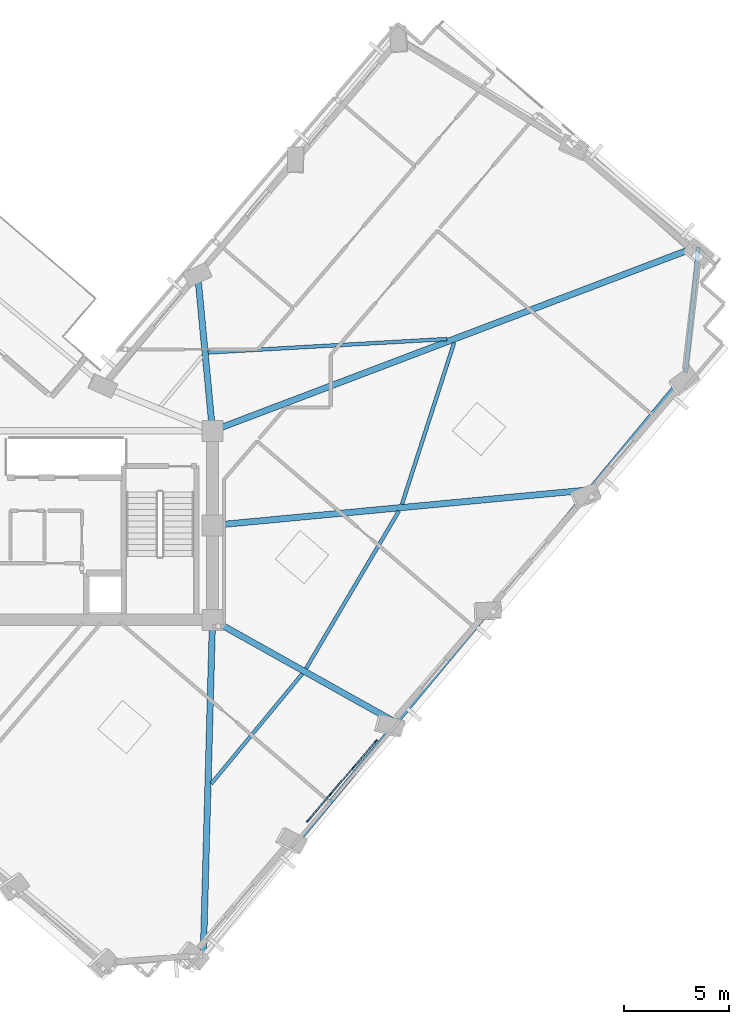
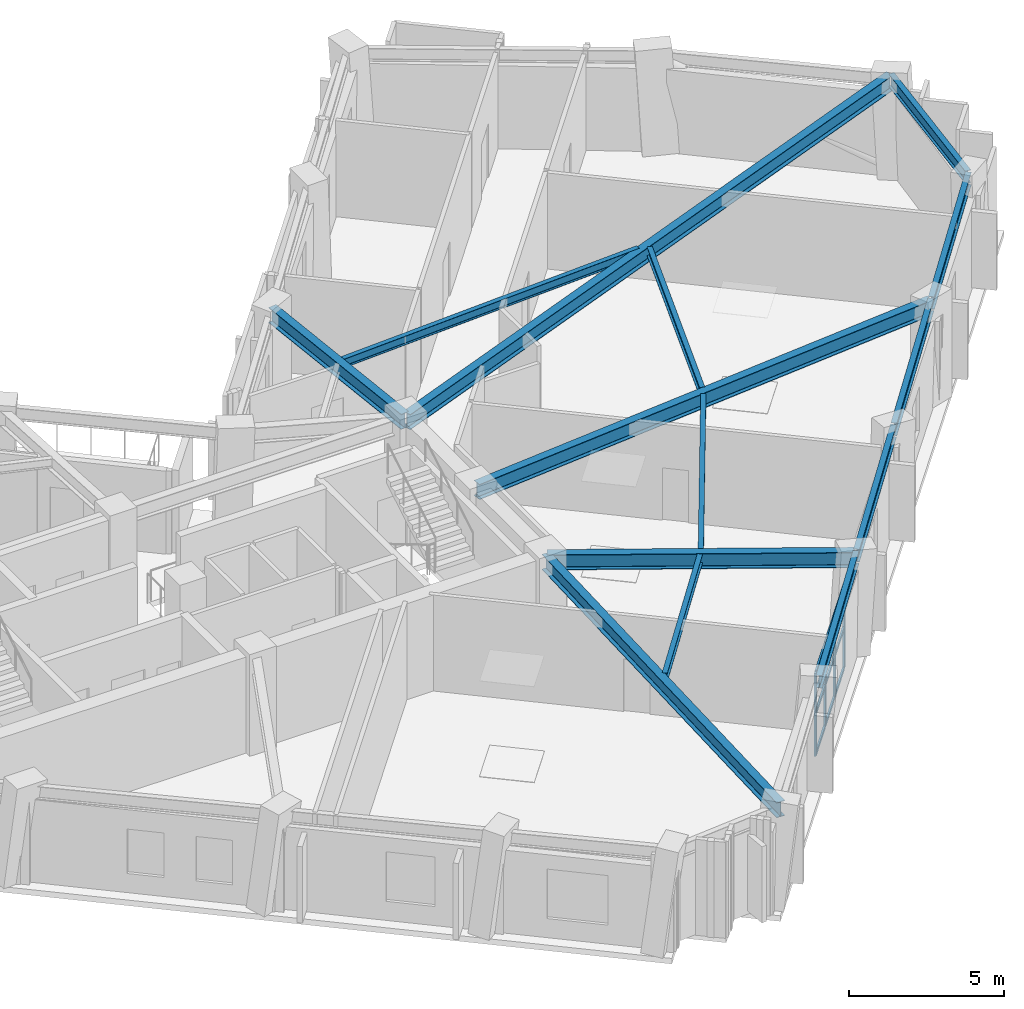
# One storey, part 2 of 12: 14 beams, 13 members, 1 element without a shape of its own.
"""IFC4 building model written with IfcOpenShell, lengths in metres."""

from ifc_helpers import new_model, si_unit, direction, frame, origin, origin_2d, place, context, subcontext, project, spatial, rectangle, i_section, extrude, material, material_profile, profile_set, type_object, element, aggregate, save


model = new_model("IFC4")

# Units and contexts
model_context = context("Model", 3, precision=1e-05, world=origin(), true_north=direction((0.0, 1.0)))
body_context = subcontext(model_context, "Body", "Model", "MODEL_VIEW")
ifc_project = project(units=[si_unit("LENGTHUNIT", "METRE"), si_unit("AREAUNIT", "SQUARE_METRE"), si_unit("VOLUMEUNIT", "CUBIC_METRE"), si_unit("PLANEANGLEUNIT", "RADIAN"), si_unit("MASSUNIT", "GRAM", prefix="KILO")], contexts=[model_context])

# Site, building, storey
site_placement = place(None, origin())
site = spatial("IfcSite", under=ifc_project, at=site_placement, CompositionType="ELEMENT")
building_placement = place(site_placement, origin())
building = spatial("IfcBuilding", under=site, at=building_placement, Name="Gaonmaruhae Medical Tower", CompositionType="ELEMENT")
storey_placement = place(building_placement, frame((0.0, 0.0, 235.199951171875)))
storey = spatial("IfcBuildingStorey", under=building, at=storey_placement, Name="L56", CompositionType="ELEMENT", Elevation=235.199951171875)

# Curtain wall, members
ifc_material_1 = material(Name="Anodised aluminium and Low-E double glazing", Category="aluminium")
curtain_wall_type = type_object("IfcCurtainWallType", Name="CW-S3 Spiralling Dayroom Ribbon Curtain Wall", PredefinedType="NOTDEFINED", material=ifc_material_1)
curtain_wall_placement = place(storey_placement, origin())
curtain_wall = element("IfcCurtainWall", 1, at=curtain_wall_placement, inside=storey, type_object=curtain_wall_type, Name="L56 Curtain Wall CW-L56-S02", PredefinedType="NOTDEFINED")
ifc_material_2 = material(Name="Anodised aluminium 6063-T6", Category="aluminium")
ifc_material_profile_1 = material_profile(ifc_material_2, rectangle(XDim=0.06494140625, YDim=0.179931640625, at=origin_2d()), Name="CWM-65x180")
ifc_profile_set_1 = profile_set([ifc_material_profile_1], Name="Anodised aluminium 6063-T6")
member_type_1 = type_object("IfcMemberType", Name="CWM-2 Tower Feature Curtain Wall Mullion (CWM-65x180)", PredefinedType="MULLION", material=ifc_profile_set_1)
member_1_placement = place(storey_placement, frame((43.379638671875, 2.02001953125, 0.0), z_axis=(0.0, 0.0, 1.0), x_axis=(0.759265011146, -0.650781563084, 0.0)))
member_1 = element("IfcMember", 2, at=member_1_placement, type_object=member_type_1, Name="CW-S3 mullion 1", PredefinedType="MULLION", context=body_context, shape_type="SweptSolid", body=[
    extrude(rectangle(XDim=0.06494140625, YDim=0.179931640625, at=origin_2d()), origin(), (0.0, 0.0, 1.0), 3.26513671875),
])
member_2_placement = place(storey_placement, frame((42.30810546875, 0.77001953125, 0.0), z_axis=(0.0, 0.0, 1.0), x_axis=(0.759265011146, -0.650781563084, 0.0)))
member_2 = element("IfcMember", 3, at=member_2_placement, type_object=member_type_1, Name="CW-S3 mullion 2", PredefinedType="MULLION", context=body_context, shape_type="SweptSolid", body=[
    extrude(rectangle(XDim=0.06494140625, YDim=0.179931640625, at=origin_2d()), origin(), (0.0, 0.0, 1.0), 3.26513671875),
])
member_3_placement = place(storey_placement, frame((41.215576171875, -0.5048828125, 0.0), z_axis=(0.0, 0.0, 1.0), x_axis=(0.759265011146, -0.650781563084, 0.0)))
member_3 = element("IfcMember", 4, at=member_3_placement, type_object=member_type_1, Name="CW-S3 mullion 3", PredefinedType="MULLION", context=body_context, shape_type="SweptSolid", body=[
    extrude(rectangle(XDim=0.06494140625, YDim=0.179931640625, at=origin_2d()), origin(), (0.0, 0.0, 1.0), 3.26513671875),
])
member_4_placement = place(storey_placement, frame((40.14404296875, -1.7548828125, 0.0), z_axis=(0.0, 0.0, 1.0), x_axis=(0.759265011146, -0.650781563084, 0.0)))
member_4 = element("IfcMember", 5, at=member_4_placement, type_object=member_type_1, Name="CW-S3 mullion 4", PredefinedType="MULLION", context=body_context, shape_type="SweptSolid", body=[
    extrude(rectangle(XDim=0.06494140625, YDim=0.179931640625, at=origin_2d()), origin(), (0.0, 0.0, 1.0), 3.26513671875),
])
ifc_material_profile_2 = material_profile(ifc_material_2, rectangle(XDim=0.06494140625, YDim=0.139892578125, at=origin_2d()), Name="CWT-65x140")
ifc_profile_set_2 = profile_set([ifc_material_profile_2], Name="Anodised aluminium 6063-T6")
member_type_2 = type_object("IfcMemberType", Name="CWT-2 Tower Feature Curtain Wall Transom (CWT-65x140)", PredefinedType="USERDEFINED", material=ifc_profile_set_2)
member_5_placement = place(storey_placement, frame((43.3583984375, 1.995361328125, 0.032470703125), z_axis=(-0.650753229259, -0.759289295729, 0.0), x_axis=(0.759289295729, -0.650753229259, 0.0)))
member_5 = element("IfcMember", 6, at=member_5_placement, type_object=member_type_2, Name="CW-S3 transom 1.1", ObjectType="TRANSOM", PredefinedType="USERDEFINED", context=body_context, shape_type="SweptSolid", body=[
    extrude(rectangle(XDim=0.06494140625, YDim=0.139892578125, at=origin_2d()), origin(), (0.0, 0.0, 1.0), 1.581298828125),
])
member_6_placement = place(storey_placement, frame((43.3583984375, 1.995361328125, 1.632568359375), z_axis=(-0.650753229259, -0.759289295729, 0.0), x_axis=(0.759289295729, -0.650753229259, 0.0)))
member_6 = element("IfcMember", 7, at=member_6_placement, type_object=member_type_2, Name="CW-S3 transom 1.2", ObjectType="TRANSOM", PredefinedType="USERDEFINED", context=body_context, shape_type="SweptSolid", body=[
    extrude(rectangle(XDim=0.06494140625, YDim=0.139892578125, at=origin_2d()), origin(), (0.0, 0.0, 1.0), 1.581298828125),
])
member_7_placement = place(storey_placement, frame((43.3583984375, 1.995361328125, 3.232666015625), z_axis=(-0.650753229259, -0.759289295729, 0.0), x_axis=(0.759289295729, -0.650753229259, 0.0)))
member_7 = element("IfcMember", 8, at=member_7_placement, type_object=member_type_2, Name="CW-S3 transom 1.3", ObjectType="TRANSOM", PredefinedType="USERDEFINED", context=body_context, shape_type="SweptSolid", body=[
    extrude(rectangle(XDim=0.06494140625, YDim=0.139892578125, at=origin_2d()), origin(), (0.0, 0.0, 1.0), 1.581298828125),
])
member_8_placement = place(storey_placement, frame((42.287109375, 0.745361328125, 0.032470703125), z_axis=(-0.650791373456, -0.759256602365, 0.0), x_axis=(0.759256602365, -0.650791373456, 0.0)))
member_8 = element("IfcMember", 9, at=member_8_placement, type_object=member_type_2, Name="CW-S3 transom 2.1", ObjectType="TRANSOM", PredefinedType="USERDEFINED", context=body_context, shape_type="SweptSolid", body=[
    extrude(rectangle(XDim=0.06494140625, YDim=0.139892578125, at=origin_2d()), origin(), (0.0, 0.0, 1.0), 1.61376953125),
])
member_9_placement = place(storey_placement, frame((42.287109375, 0.745361328125, 1.632568359375), z_axis=(-0.650791373456, -0.759256602365, 0.0), x_axis=(0.759256602365, -0.650791373456, 0.0)))
member_9 = element("IfcMember", 10, at=member_9_placement, type_object=member_type_2, Name="CW-S3 transom 2.2", ObjectType="TRANSOM", PredefinedType="USERDEFINED", context=body_context, shape_type="SweptSolid", body=[
    extrude(rectangle(XDim=0.06494140625, YDim=0.139892578125, at=origin_2d()), origin(), (0.0, 0.0, 1.0), 1.61376953125),
])
member_10_placement = place(storey_placement, frame((42.287109375, 0.745361328125, 3.232666015625), z_axis=(-0.650791373456, -0.759256602365, 0.0), x_axis=(0.759256602365, -0.650791373456, 0.0)))
member_10 = element("IfcMember", 11, at=member_10_placement, type_object=member_type_2, Name="CW-S3 transom 2.3", ObjectType="TRANSOM", PredefinedType="USERDEFINED", context=body_context, shape_type="SweptSolid", body=[
    extrude(rectangle(XDim=0.06494140625, YDim=0.139892578125, at=origin_2d()), origin(), (0.0, 0.0, 1.0), 1.61376953125),
])
member_11_placement = place(storey_placement, frame((41.1943359375, -0.529541015625, 0.032470703125), z_axis=(-0.650753229259, -0.759289295729, 0.0), x_axis=(0.759289295729, -0.650753229259, 0.0)))
member_11 = element("IfcMember", 12, at=member_11_placement, type_object=member_type_2, Name="CW-S3 transom 3.1", ObjectType="TRANSOM", PredefinedType="USERDEFINED", context=body_context, shape_type="SweptSolid", body=[
    extrude(rectangle(XDim=0.06494140625, YDim=0.139892578125, at=origin_2d()), origin(), (0.0, 0.0, 1.0), 1.581298828125),
])
member_12_placement = place(storey_placement, frame((41.1943359375, -0.529541015625, 1.632568359375), z_axis=(-0.650753229259, -0.759289295729, 0.0), x_axis=(0.759289295729, -0.650753229259, 0.0)))
member_12 = element("IfcMember", 13, at=member_12_placement, type_object=member_type_2, Name="CW-S3 transom 3.2", ObjectType="TRANSOM", PredefinedType="USERDEFINED", context=body_context, shape_type="SweptSolid", body=[
    extrude(rectangle(XDim=0.06494140625, YDim=0.139892578125, at=origin_2d()), origin(), (0.0, 0.0, 1.0), 1.581298828125),
])
member_13_placement = place(storey_placement, frame((41.1943359375, -0.529541015625, 3.232666015625), z_axis=(-0.650753229259, -0.759289295729, 0.0), x_axis=(0.759289295729, -0.650753229259, 0.0)))
member_13 = element("IfcMember", 14, at=member_13_placement, type_object=member_type_2, Name="CW-S3 transom 3.3", ObjectType="TRANSOM", PredefinedType="USERDEFINED", context=body_context, shape_type="SweptSolid", body=[
    extrude(rectangle(XDim=0.06494140625, YDim=0.139892578125, at=origin_2d()), origin(), (0.0, 0.0, 1.0), 1.581298828125),
])
aggregate(curtain_wall, [member_1, member_2, member_3, member_4, member_5, member_6, member_7, member_8, member_9, member_10, member_11, member_12, member_13])

# Beams
ifc_material_3 = material(Name="Steel SM355", Category="steel")
ifc_material_profile_3 = material_profile(ifc_material_3, i_section(OverallWidth=0.175048828125, OverallDepth=0.35009765625, WebThickness=0.007080078125, FlangeThickness=0.010986328125, FilletRadius=0.012939453125, at=origin_2d()), Name="H-350x175x7x11")
ifc_profile_set_3 = profile_set([ifc_material_profile_3], Name="Steel SM355")
beam_type_1 = type_object("IfcBeamType", Name="FJ-02 Upper Zone Ward Floor Joist (H-350x175x7x11)", PredefinedType="JOIST", material=ifc_profile_set_3)
beam_1_placement = place(storey_placement, frame((35.5400390625, -0.00048828125, 3.60498046875), z_axis=(0.63810676263, 0.769947894007, 0.0), x_axis=(-0.769947894007, 0.63810676263, 0.0)))
element("IfcBeam", 15, at=beam_1_placement, inside=storey, type_object=beam_type_1, Name="L56 Secondary Floor Joist FJ01", PredefinedType="JOIST", context=body_context, shape_type="SweptSolid", body=[
    extrude(i_section(OverallWidth=0.175048828125, OverallDepth=0.35009765625, WebThickness=0.007080078125, FlangeThickness=0.010986328125, FilletRadius=0.012939453125, at=origin_2d()), origin(), (0.0, 0.0, 1.0), 6.792236328125),
])
beam_2_placement = place(storey_placement, frame((40.054443359375, 5.48583984375, 3.60498046875), z_axis=(0.507819510097, 0.861463490326, 0.0), x_axis=(-0.861463490326, 0.507819510097, 0.0)))
element("IfcBeam", 16, at=beam_2_placement, inside=storey, type_object=beam_type_1, Name="L56 Secondary Floor Joist FJ02", PredefinedType="JOIST", context=body_context, shape_type="SweptSolid", body=[
    extrude(i_section(OverallWidth=0.175048828125, OverallDepth=0.35009765625, WebThickness=0.007080078125, FlangeThickness=0.010986328125, FilletRadius=0.012939453125, at=origin_2d()), origin(), (0.0, 0.0, 1.0), 8.699951171875),
])
beam_3_placement = place(storey_placement, frame((44.62158203125, 13.30615234375, 3.60498046875), z_axis=(0.30726279476, 0.951624702788, 0.0), x_axis=(-0.951624702788, 0.30726279476, 0.0)))
element("IfcBeam", 17, at=beam_3_placement, inside=storey, type_object=beam_type_1, Name="L56 Secondary Floor Joist FJ03", PredefinedType="JOIST", context=body_context, shape_type="SweptSolid", body=[
    extrude(i_section(OverallWidth=0.175048828125, OverallDepth=0.35009765625, WebThickness=0.007080078125, FlangeThickness=0.010986328125, FilletRadius=0.012939453125, at=origin_2d()), origin(), (0.0, 0.0, 1.0), 8.0927734375),
])
beam_4_placement = place(storey_placement, frame((46.76904296875, 21.17333984375, 3.60498046875), z_axis=(-0.998411739011, -0.056338258799, 0.0), x_axis=(0.056338258799, -0.998411739011, 0.0)))
element("IfcBeam", 18, at=beam_4_placement, inside=storey, type_object=beam_type_1, Name="L56 Secondary Floor Joist FJ04", PredefinedType="JOIST", context=body_context, shape_type="SweptSolid", body=[
    extrude(i_section(OverallWidth=0.175048828125, OverallDepth=0.35009765625, WebThickness=0.007080078125, FlangeThickness=0.010986328125, FilletRadius=0.012939453125, at=origin_2d()), origin(), (0.0, 0.0, 1.0), 11.384033203125),
])
ifc_material_4 = material(Name="Steel SM420", Category="steel")
ifc_material_profile_4 = material_profile(ifc_material_4, i_section(OverallWidth=0.300048828125, OverallDepth=0.60009765625, WebThickness=0.011962890625, FlangeThickness=0.02001953125, FilletRadius=0.012939453125, at=origin_2d()), Name="H-600x300x12x20")
ifc_profile_set_4 = profile_set([ifc_material_profile_4], Name="Steel SM420")
beam_type_2 = type_object("IfcBeamType", Name="PG-04 Zone 4 Radial Floor Girder (H-600x300x12x20)", PredefinedType="BEAM", material=ifc_profile_set_4)
beam_5_placement = place(storey_placement, frame((35.5986328125, 7.75, 3.47998046875), z_axis=(-0.027393923869, -0.999624716048, 0.0), x_axis=(0.999624716048, -0.027393923869, 0.0)))
element("IfcBeam", 19, at=beam_5_placement, inside=storey, type_object=beam_type_2, Name="L56 Radial Primary Girder S01", PredefinedType="BEAM", context=body_context, shape_type="SweptSolid", body=[
    extrude(i_section(OverallWidth=0.300048828125, OverallDepth=0.60009765625, WebThickness=0.011962890625, FlangeThickness=0.02001953125, FilletRadius=0.012939453125, at=origin_2d()), origin(), (0.0, 0.0, 1.0), 15.890380859375),
])
beam_6_placement = place(storey_placement, frame((35.6435546875, 7.775634765625, 3.47998046875), z_axis=(0.872638078579, -0.488367468014, 0.0), x_axis=(0.488367468014, 0.872638078579, 0.0)))
element("IfcBeam", 20, at=beam_6_placement, inside=storey, type_object=beam_type_2, Name="L56 Radial Primary Girder S03", PredefinedType="BEAM", context=body_context, shape_type="SweptSolid", body=[
    extrude(i_section(OverallWidth=0.300048828125, OverallDepth=0.60009765625, WebThickness=0.011962890625, FlangeThickness=0.02001953125, FilletRadius=0.012939453125, at=origin_2d()), origin(), (0.0, 0.0, 1.0), 9.927734375),
])
beam_7_placement = place(storey_placement, frame((35.649658203125, 12.3046875, 3.47998046875), z_axis=(0.995590313396, 0.093807930749, 0.0), x_axis=(-0.093807930749, 0.995590313396, 0.0)))
element("IfcBeam", 21, at=beam_7_placement, inside=storey, type_object=beam_type_2, Name="L56 Radial Primary Girder S05", PredefinedType="BEAM", context=body_context, shape_type="SweptSolid", body=[
    extrude(i_section(OverallWidth=0.300048828125, OverallDepth=0.60009765625, WebThickness=0.011962890625, FlangeThickness=0.02001953125, FilletRadius=0.012939453125, at=origin_2d()), origin(), (0.0, 0.0, 1.0), 17.918701171875),
])
beam_8_placement = place(storey_placement, frame((35.646728515625, 16.81787109375, 3.47998046875), z_axis=(0.934794103327, 0.355190067971, 0.0), x_axis=(-0.355190067971, 0.934794103327, 0.0)))
element("IfcBeam", 22, at=beam_8_placement, inside=storey, type_object=beam_type_2, Name="L56 Radial Primary Girder E01", PredefinedType="BEAM", context=body_context, shape_type="SweptSolid", body=[
    extrude(i_section(OverallWidth=0.300048828125, OverallDepth=0.60009765625, WebThickness=0.011962890625, FlangeThickness=0.02001953125, FilletRadius=0.012939453125, at=origin_2d()), origin(), (0.0, 0.0, 1.0), 24.65185546875),
])
beam_9_placement = place(storey_placement, frame((35.59521484375, 16.849853515625, 3.47998046875), z_axis=(-0.09428452076, 0.995545292362, 0.0), x_axis=(-0.995545292362, -0.09428452076, 0.0)))
element("IfcBeam", 23, at=beam_9_placement, inside=storey, type_object=beam_type_2, Name="L56 Radial Primary Girder EN02", PredefinedType="BEAM", context=body_context, shape_type="SweptSolid", body=[
    extrude(i_section(OverallWidth=0.300048828125, OverallDepth=0.60009765625, WebThickness=0.011962890625, FlangeThickness=0.02001953125, FilletRadius=0.012939453125, at=origin_2d()), origin(), (0.0, 0.0, 1.0), 7.3798828125),
])
ifc_material_profile_5 = material_profile(ifc_material_3, i_section(OverallWidth=0.199951171875, OverallDepth=0.5, WebThickness=0.010009765625, FlangeThickness=0.01611328125, FilletRadius=0.012939453125, at=origin_2d()), Name="H-500x200x10x16")
ifc_profile_set_5 = profile_set([ifc_material_profile_5], Name="Steel SM355")
beam_type_3 = type_object("IfcBeamType", Name="SP-02 Upper Perimeter Spandrel Beam (H-500x200x10x16)", PredefinedType="SPANDREL", material=ifc_profile_set_5)
for number, where, z_axis, x_axis, name in (
    (24, (39.78173828125, -2.610107421875, 3.530029296875), (0.638087569109, 0.769963800545, 0.0), (-0.769963800545, 0.638087569109, 0.0), "L56 Perimeter Spandrel Beam S02-S03"),
    (25, (44.376220703125, 2.93359375, 3.530029296875), (0.638087569109, 0.769963800545, 0.0), (-0.769963800545, 0.638087569109, 0.0), "L56 Perimeter Spandrel Beam S03-S04"),
    (26, (48.970458984375, 8.477294921875, 3.530029296875), (0.638087569109, 0.769963800545, 0.0), (-0.769963800545, 0.638087569109, 0.0), "L56 Perimeter Spandrel Beam S04-S05"),
    (27, (53.564697265625, 14.02099609375, 3.530029296875), (0.638087569109, 0.769963800545, 0.0), (-0.769963800545, 0.638087569109, 0.0), "L56 Perimeter Spandrel Beam S05-S06"),
):
    element("IfcBeam", number, at=place(storey_placement, frame(where, z_axis=z_axis, x_axis=x_axis)), inside=storey, type_object=beam_type_3, Name=name, PredefinedType="SPANDREL", context=body_context, shape_type="SweptSolid", body=[
        extrude(i_section(OverallWidth=0.199951171875, OverallDepth=0.5, WebThickness=0.010009765625, FlangeThickness=0.01611328125, FilletRadius=0.012939453125, at=origin_2d()), origin(), (0.0, 0.0, 1.0), 7.1201171875),
    ])
beam_10_placement = place(storey_placement, frame((58.137451171875, 19.57373046875, 3.530029296875), z_axis=(0.099318634527, 0.995055681274, 0.0), x_axis=(-0.995055681274, 0.099318634527, 0.0)))
element("IfcBeam", 28, at=beam_10_placement, inside=storey, type_object=beam_type_3, Name="L56 Perimeter Spandrel Beam S06-E01", PredefinedType="SPANDREL", context=body_context, shape_type="SweptSolid", body=[
    extrude(i_section(OverallWidth=0.199951171875, OverallDepth=0.5, WebThickness=0.010009765625, FlangeThickness=0.01611328125, FilletRadius=0.012939453125, at=origin_2d()), origin(), (0.0, 0.0, 1.0), 6.0078125),
])

save(model, "model.ifc")
